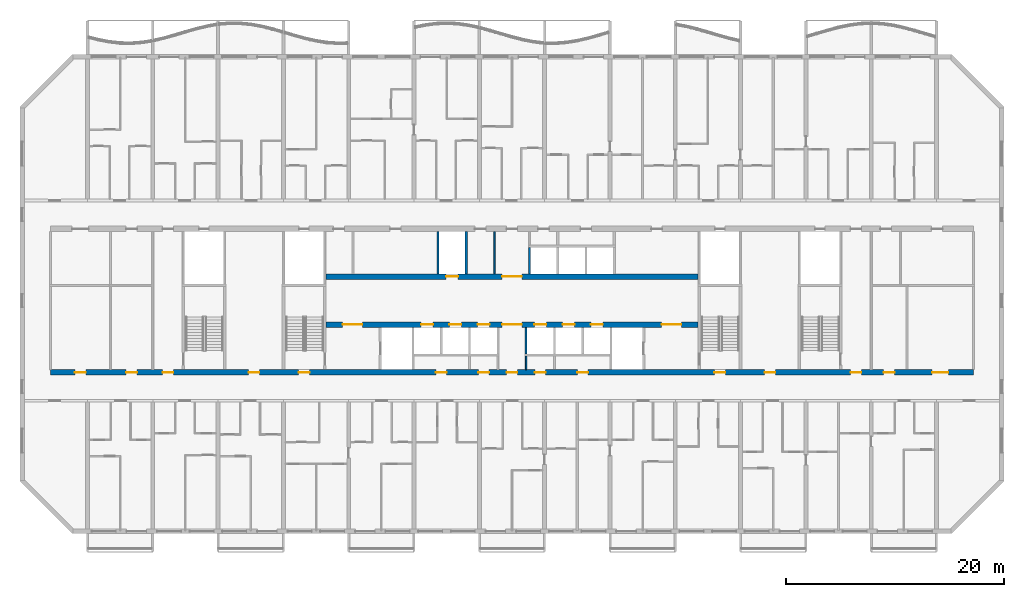
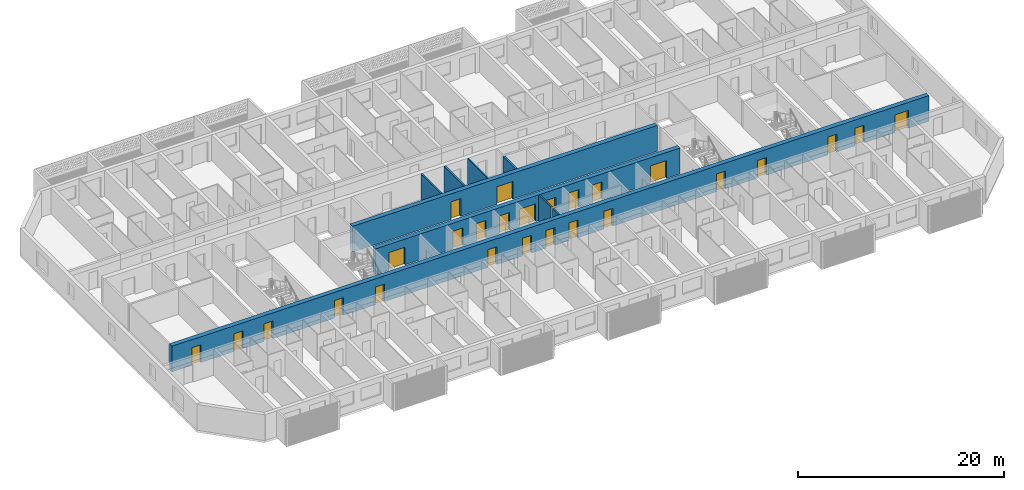
# One storey, part 7 of 26: 26 doors, 9 walls, 26 openings.
"""IFC4 building model written with IfcOpenShell, lengths in metres."""

import ifcopenshell
import ifcopenshell.guid

model = None  # the IFC model being written
_history = None  # IfcOwnerHistory: only IFC2X3 demands one
_inside = {}  # id of a spatial element -> (the spatial element, [elements in it])
_under = {}  # id of a project, library or spatial element -> (it, [spatial elements below it])
_declared = {}  # id of a project -> (the project, [libraries it declares])
_typed = {}  # id of a type object -> (the type object, [elements of that type])
_made_of = {}  # id of a material, layer set ... -> (it, [elements and type objects made of it])


def new_model(schema):
    """Start an empty IFC model of exactly this schema.

    Asked for "IFC4X3", IfcOpenShell would pick the latest addendum, in which some entities
    have other attributes; the version numbers below select the first issue.
    IFC2X3 requires an IfcOwnerHistory on every rooted entity: one is made here for all.
    """
    global model, _history
    if schema == "IFC4X3":
        model = ifcopenshell.file(schema_version=(4, 3, 0, 0))
    else:
        model = ifcopenshell.file(schema=schema)
    _inside.clear()
    _under.clear()
    _declared.clear()
    _typed.clear()
    _made_of.clear()
    _history = None
    if model.schema == "IFC2X3":
        org = make("IfcOrganization", Name="unknown")
        user = make(
            "IfcPersonAndOrganization",
            ThePerson=make("IfcPerson", FamilyName="unknown"),
            TheOrganization=org,
        )
        app = make(
            "IfcApplication",
            ApplicationDeveloper=org,
            Version="unknown",
            ApplicationFullName="unknown",
            ApplicationIdentifier="unknown",
        )
        _history = make(
            "IfcOwnerHistory",
            OwningUser=user,
            OwningApplication=app,
            ChangeAction="ADDED",
            CreationDate=0,
        )
    return model


def make(cls, **values):
    """One entity of the class cls with the attributes given. An attribute that is None is left unset."""
    return model.create_entity(
        cls, **{name: value for name, value in values.items() if value is not None}
    )


def rooted(cls, **values):
    """An entity with a GlobalId (a new one), such as an element, a storey or a relation."""
    return make(cls, GlobalId=ifcopenshell.guid.new(), OwnerHistory=_history, **values)


def si_unit(unit_type, name, prefix=None):
    """IfcSIUnit, for example si_unit("LENGTHUNIT", "METRE", prefix="MILLI")."""
    return make("IfcSIUnit", UnitType=unit_type, Prefix=prefix, Name=name)


def assignment(units):
    """IfcUnitAssignment: the units of a project."""
    return None if units is None else make("IfcUnitAssignment", Units=units)


def point(xyz):
    """IfcCartesianPoint."""
    return None if xyz is None else make("IfcCartesianPoint", Coordinates=xyz)


def direction(xyz):
    """IfcDirection."""
    return None if xyz is None else make("IfcDirection", DirectionRatios=xyz)


def frame(location, z_axis=None, x_axis=None):
    """IfcAxis2Placement3D, a coordinate frame: its origin and axes. An axis left out is left unset."""
    return make(
        "IfcAxis2Placement3D",
        Location=point(location),
        Axis=direction(z_axis),
        RefDirection=direction(x_axis),
    )


def frame_2d(location, x_axis=None):
    """IfcAxis2Placement2D, a coordinate frame in the plane: its origin and x axis."""
    return make(
        "IfcAxis2Placement2D", Location=point(location), RefDirection=direction(x_axis)
    )


def origin():
    """The frame at (0, 0, 0) with its axes left unset."""
    return frame((0.0, 0.0, 0.0))


def place(relative_to, where):
    """IfcLocalPlacement: puts the frame where relative to a parent placement (None: the world)."""
    return make(
        "IfcLocalPlacement", PlacementRelTo=relative_to, RelativePlacement=where
    )


def context(
    kind, dimensions, precision=None, world=None, true_north=None, identifier=None
):
    """IfcGeometricRepresentationContext, for example the 3D "Model" context."""
    return make(
        "IfcGeometricRepresentationContext",
        ContextIdentifier=identifier,
        ContextType=kind,
        CoordinateSpaceDimension=dimensions,
        Precision=precision,
        WorldCoordinateSystem=world,
        TrueNorth=true_north,
    )


def subcontext(parent, identifier, kind, view, scale=None):
    """IfcGeometricRepresentationSubContext, for example "Body" below "Model"."""
    return make(
        "IfcGeometricRepresentationSubContext",
        ContextIdentifier=identifier,
        ContextType=kind,
        ParentContext=parent,
        TargetScale=scale,
        TargetView=view,
    )


def project(units=None, contexts=None):
    """IfcProject with its units and contexts."""
    return rooted(
        "IfcProject",
        Name="project",
        RepresentationContexts=contexts,
        UnitsInContext=assignment(units),
    )


def spatial(cls, under=None, at=None, **own):
    """A site, building, storey or space (cls), placed at a placement, below another one or the project."""
    s = rooted(cls, ObjectPlacement=at, **own)
    if under is not None:
        _under.setdefault(under.id(), (under, []))[1].append(s)
    return s


def profile(cls, at=None, kind="AREA", **sizes):
    """A parametric profile (cls). Its sizes go by their IFC names, for example OverallWidth=200.0."""
    return make(cls, ProfileType=kind, Position=at, **sizes)


def rectangle(**sizes):
    """IfcRectangleProfileDef."""
    return profile("IfcRectangleProfileDef", **sizes)


def extrude(swept, where, along, depth):
    """IfcExtrudedAreaSolid: the profile swept, set in the frame where, extruded along a direction by depth."""
    return make(
        "IfcExtrudedAreaSolid",
        SweptArea=swept,
        Position=where,
        ExtrudedDirection=direction(along),
        Depth=depth,
    )


def shape(context_of_items, identifier, shape_type, items):
    """IfcShapeRepresentation: the items that make up one representation, for example the "Body"."""
    return make(
        "IfcShapeRepresentation",
        ContextOfItems=context_of_items,
        RepresentationIdentifier=identifier,
        RepresentationType=shape_type,
        Items=items,
    )


def material(Name=None, Category=None):
    """IfcMaterial."""
    return make("IfcMaterial", Name=Name, Category=Category)


def layer(
    of_material, thickness, ventilated=None, Name=None, Category=None, Priority=None
):
    """IfcMaterialLayer: one layer of a wall or slab, of a material (None: an air gap)."""
    return make(
        "IfcMaterialLayer",
        Material=of_material,
        LayerThickness=thickness,
        IsVentilated=ventilated,
        Name=Name,
        Category=Category,
        Priority=Priority,
    )


def layer_set(layers, Name=None):
    """IfcMaterialLayerSet."""
    return make("IfcMaterialLayerSet", MaterialLayers=layers, LayerSetName=Name)


def made_of(thing, what):
    """Note that an element or type object is made of a material, layer set ...; save() writes the relation."""
    if what is not None:
        _made_of.setdefault(what.id(), (what, []))[1].append(thing)
    return thing


def type_object(cls, material=None, **own):
    """A type object (cls), such as IfcWallType, which elements share."""
    return made_of(rooted(cls, **own), material)


def element(
    cls,
    number,
    at=None,
    inside=None,
    cuts=None,
    type_object=None,
    material=None,
    context=None,
    identifier="Body",
    shape_type=None,
    held_by="IfcProductDefinitionShape",
    body=None,
    shapes=None,
    **own,
):
    """One element of the class cls, such as IfcWall. Its Tag is "e" and its number.

    at: its placement. inside: the storey or other place that contains it. cuts: it is an
    opening in that element (IfcRelVoidsElement). A single representation is given by context,
    identifier, shape_type and body (its items); several are given by shapes. held_by: the class
    of the entity that holds the representations. save() writes the other relations.
    """
    e = rooted(cls, Tag="e%d" % number, ObjectPlacement=at, **own)
    if body is not None:
        shapes = [shape(context, identifier, shape_type, body)]
    if shapes is not None:
        e.Representation = make(held_by, Representations=shapes)
    if inside is not None:
        _inside.setdefault(inside.id(), (inside, []))[1].append(e)
    if cuts is not None:
        rooted(
            "IfcRelVoidsElement", RelatingBuildingElement=cuts, RelatedOpeningElement=e
        )
    if type_object is not None:
        _typed.setdefault(type_object.id(), (type_object, []))[1].append(e)
    return made_of(e, material)


def fill(opening, filler):
    """IfcRelFillsElement: the door or window that sits in an opening."""
    return rooted(
        "IfcRelFillsElement",
        RelatingOpeningElement=opening,
        RelatedBuildingElement=filler,
    )


def aggregate(whole, parts):
    """IfcRelAggregates: a whole, such as a stair, and the parts it consists of."""
    return rooted("IfcRelAggregates", RelatingObject=whole, RelatedObjects=parts)


def save(model, path):
    """Write the relations noted so far, then the file.

    IfcRelAggregates (storeys below a building ...), IfcRelContainedInSpatialStructure (elements
    in a storey), IfcRelDefinesByType, IfcRelAssociatesMaterial and IfcRelDeclares: one each for
    every whole, place, type object, material and project.
    """
    for whole, parts in _under.values():
        aggregate(whole, parts)
    for where, things in _inside.values():
        rooted(
            "IfcRelContainedInSpatialStructure",
            RelatedElements=things,
            RelatingStructure=where,
        )
    for kind, things in _typed.values():
        rooted("IfcRelDefinesByType", RelatedObjects=things, RelatingType=kind)
    for what, things in _made_of.values():
        rooted("IfcRelAssociatesMaterial", RelatedObjects=things, RelatingMaterial=what)
    for by, libraries in _declared.values():
        rooted("IfcRelDeclares", RelatingContext=by, RelatedDefinitions=libraries)
    model.write(path)


model = new_model("IFC4")

# Units and contexts
model_context = context("Model", 3, precision=1e-05, world=origin(), true_north=direction((0.0, 1.0)))
body_context = subcontext(model_context, "Body", "Model", "MODEL_VIEW")
ifc_project = project(units=[si_unit("LENGTHUNIT", "METRE"), si_unit("AREAUNIT", "SQUARE_METRE"), si_unit("VOLUMEUNIT", "CUBIC_METRE"), si_unit("PLANEANGLEUNIT", "RADIAN"), si_unit("MASSUNIT", "GRAM", prefix="KILO")], contexts=[model_context])

# Site, building, storey
site_placement = place(None, origin())
site = spatial("IfcSite", under=ifc_project, at=site_placement, CompositionType="ELEMENT")
building_placement = place(site_placement, origin())
building = spatial("IfcBuilding", under=site, at=building_placement, Name="Poui Terraces", CompositionType="ELEMENT")
storey_placement = place(building_placement, frame((0.0, 0.0, 79.5)))
storey = spatial("IfcBuildingStorey", under=building, at=storey_placement, Name="L21", CompositionType="ELEMENT", Elevation=79.5)

# Wall, openings, doors
ifc_material_1 = material(Name="Concrete 65 MPa", Category="concrete")
ifc_layer_1 = layer(ifc_material_1, 0.5)
ifc_layer_set_1 = layer_set([ifc_layer_1], Name="Concrete 65 MPa")
wall_type_1 = type_object("IfcWallType", Name="CORE WALL 500 65 MPA", PredefinedType="SOLIDWALL", material=ifc_layer_set_1)
wall_1_placement = place(storey_placement, frame((33.925048828125, 19.0, 0.0), z_axis=(0.0, 0.0, 1.0), x_axis=(1.0, 0.0, 0.0)))
wall_1 = element("IfcWall", 1, at=wall_1_placement, inside=storey, type_object=wall_type_1, Name="CORE WALL", PredefinedType="SOLIDWALL", context=body_context, shape_type="SweptSolid", body=[
    extrude(rectangle(XDim=34.14990234375, YDim=0.5, at=frame_2d((17.074951171875, 0.0))), origin(), (0.0, 0.0, 1.0), 3.06005859375),
])
opening_1_placement = place(wall_1_placement, frame((16.175048828125, 0.0, 0.0)))
opening_1 = element("IfcOpeningElement", 2, at=opening_1_placement, cuts=wall_1, Name="Opening FDD60", PredefinedType="OPENING", context=body_context, shape_type="SweptSolid", body=[
    extrude(rectangle(XDim=1.800048828125, YDim=2.10009765625, at=frame_2d((0.89990234375, 1.050048828125))), frame((0.0, 0.260009765625, 0.0), z_axis=(0.0, -1.0, 0.0), x_axis=(1.0, 0.0, 0.0)), (0.0, 0.0, 1.0), 0.52001953125),
])
opening_2_placement = place(wall_1_placement, frame((1.52490234375, 0.0, 0.0)))
opening_2 = element("IfcOpeningElement", 3, at=opening_2_placement, cuts=wall_1, Name="Opening FDD60", PredefinedType="OPENING", context=body_context, shape_type="SweptSolid", body=[
    extrude(rectangle(XDim=1.800048828125, YDim=2.10009765625, at=frame_2d((0.89990234375, 1.050048828125))), frame((0.0, 0.260009765625, 0.0), z_axis=(0.0, -1.0, 0.0), x_axis=(1.0, 0.0, 0.0)), (0.0, 0.0, 1.0), 0.52001953125),
])
opening_3_placement = place(wall_1_placement, frame((8.72509765625, 0.0, 0.0)))
opening_3 = element("IfcOpeningElement", 4, at=opening_3_placement, cuts=wall_1, Name="Opening LD", PredefinedType="OPENING", context=body_context, shape_type="SweptSolid", body=[
    extrude(rectangle(XDim=1.10009765625, YDim=2.10009765625, at=frame_2d((0.550048828125, 1.050048828125))), frame((0.0, 0.260009765625, 0.0), z_axis=(0.0, -1.0, 0.0), x_axis=(1.0, 0.0, 0.0)), (0.0, 0.0, 1.0), 0.52001953125),
])
opening_4_placement = place(wall_1_placement, frame((11.324951171875, 0.0, 0.0)))
opening_4 = element("IfcOpeningElement", 5, at=opening_4_placement, cuts=wall_1, Name="Opening LD", PredefinedType="OPENING", context=body_context, shape_type="SweptSolid", body=[
    extrude(rectangle(XDim=1.10009765625, YDim=2.10009765625, at=frame_2d((0.550048828125, 1.050048828125))), frame((0.0, 0.260009765625, 0.0), z_axis=(0.0, -1.0, 0.0), x_axis=(1.0, 0.0, 0.0)), (0.0, 0.0, 1.0), 0.52001953125),
])
opening_5_placement = place(wall_1_placement, frame((13.925048828125, 0.0, 0.0)))
opening_5 = element("IfcOpeningElement", 6, at=opening_5_placement, cuts=wall_1, Name="Opening LD", PredefinedType="OPENING", context=body_context, shape_type="SweptSolid", body=[
    extrude(rectangle(XDim=1.10009765625, YDim=2.10009765625, at=frame_2d((0.550048828125, 1.050048828125))), frame((0.0, 0.260009765625, 0.0), z_axis=(0.0, -1.0, 0.0), x_axis=(1.0, 0.0, 0.0)), (0.0, 0.0, 1.0), 0.52001953125),
])
opening_6_placement = place(wall_1_placement, frame((19.125, 0.0, 0.0)))
opening_6 = element("IfcOpeningElement", 7, at=opening_6_placement, cuts=wall_1, Name="Opening LD", PredefinedType="OPENING", context=body_context, shape_type="SweptSolid", body=[
    extrude(rectangle(XDim=1.10009765625, YDim=2.10009765625, at=frame_2d((0.550048828125, 1.050048828125))), frame((0.0, 0.260009765625, 0.0), z_axis=(0.0, -1.0, 0.0), x_axis=(1.0, 0.0, 0.0)), (0.0, 0.0, 1.0), 0.52001953125),
])
opening_7_placement = place(wall_1_placement, frame((21.72509765625, 0.0, 0.0)))
opening_7 = element("IfcOpeningElement", 8, at=opening_7_placement, cuts=wall_1, Name="Opening LD", PredefinedType="OPENING", context=body_context, shape_type="SweptSolid", body=[
    extrude(rectangle(XDim=1.10009765625, YDim=2.10009765625, at=frame_2d((0.550048828125, 1.050048828125))), frame((0.0, 0.260009765625, 0.0), z_axis=(0.0, -1.0, 0.0), x_axis=(1.0, 0.0, 0.0)), (0.0, 0.0, 1.0), 0.52001953125),
])
opening_8_placement = place(wall_1_placement, frame((24.324951171875, 0.0, 0.0)))
opening_8 = element("IfcOpeningElement", 9, at=opening_8_placement, cuts=wall_1, Name="Opening LD", PredefinedType="OPENING", context=body_context, shape_type="SweptSolid", body=[
    extrude(rectangle(XDim=1.10009765625, YDim=2.10009765625, at=frame_2d((0.550048828125, 1.050048828125))), frame((0.0, 0.260009765625, 0.0), z_axis=(0.0, -1.0, 0.0), x_axis=(1.0, 0.0, 0.0)), (0.0, 0.0, 1.0), 0.52001953125),
])
opening_9_placement = place(wall_1_placement, frame((30.824951171875, 0.0, 0.0)))
opening_9 = element("IfcOpeningElement", 10, at=opening_9_placement, cuts=wall_1, Name="Opening FDD60", PredefinedType="OPENING", context=body_context, shape_type="SweptSolid", body=[
    extrude(rectangle(XDim=1.800048828125, YDim=2.10009765625, at=frame_2d((0.89990234375, 1.050048828125))), frame((0.0, 0.260009765625, 0.0), z_axis=(0.0, -1.0, 0.0), x_axis=(1.0, 0.0, 0.0)), (0.0, 0.0, 1.0), 0.52001953125),
])
ifc_material_2 = material(Name="Steel fire door", Category="steel")
door_type_1 = type_object("IfcDoorType", Name="DOUBLE LOBBY FIRE DOOR 1800 X 2100", OperationType="DOUBLE_DOOR_SINGLE_SWING", PredefinedType="DOOR", material=ifc_material_2)
door_1_placement = place(opening_1_placement, frame((1.800048828125, 0.0, 0.0), z_axis=(0.0, 0.0, 1.0), x_axis=(-1.0, 0.0, 0.0)))
door_1 = element("IfcDoor", 11, at=door_1_placement, inside=storey, type_object=door_type_1, Name="DOUBLE LOBBY FIRE DOOR 140", OperationType="DOUBLE_DOOR_SINGLE_SWING", OverallHeight=2.10009765625, OverallWidth=1.800048828125, PredefinedType="DOOR", context=body_context, shape_type="SweptSolid", body=[
    extrude(rectangle(XDim=1.800048828125, YDim=2.10009765625, at=frame_2d((0.89990234375, 1.050048828125))), frame((0.0, 0.02490234375, 0.0), z_axis=(0.0, -1.0, 0.0), x_axis=(1.0, 0.0, 0.0)), (0.0, 0.0, 1.0), 0.050048828125),
])
fill(opening_1, door_1)
door_2_placement = place(opening_2_placement, origin())
door_2 = element("IfcDoor", 12, at=door_2_placement, inside=storey, type_object=door_type_1, Name="DOUBLE LOBBY FIRE DOOR 141", OperationType="DOUBLE_DOOR_SINGLE_SWING", OverallHeight=2.10009765625, OverallWidth=1.800048828125, PredefinedType="DOOR", context=body_context, shape_type="SweptSolid", body=[
    extrude(rectangle(XDim=1.800048828125, YDim=2.10009765625, at=frame_2d((0.89990234375, 1.050048828125))), frame((0.0, 0.02490234375, 0.0), z_axis=(0.0, -1.0, 0.0), x_axis=(1.0, 0.0, 0.0)), (0.0, 0.0, 1.0), 0.050048828125),
])
fill(opening_2, door_2)
door_3_placement = place(opening_9_placement, origin())
door_3 = element("IfcDoor", 13, at=door_3_placement, inside=storey, type_object=door_type_1, Name="DOUBLE LOBBY FIRE DOOR 149", OperationType="DOUBLE_DOOR_SINGLE_SWING", OverallHeight=2.10009765625, OverallWidth=1.800048828125, PredefinedType="DOOR", context=body_context, shape_type="SweptSolid", body=[
    extrude(rectangle(XDim=1.800048828125, YDim=2.10009765625, at=frame_2d((0.89990234375, 1.050048828125))), frame((0.0, 0.02490234375, 0.0), z_axis=(0.0, -1.0, 0.0), x_axis=(1.0, 0.0, 0.0)), (0.0, 0.0, 1.0), 0.050048828125),
])
fill(opening_9, door_3)
ifc_material_3 = material(Name="Stainless steel sliding door", Category="steel")
door_type_2 = type_object("IfcDoorType", Name="LIFT LANDING DOOR 1100 X 2100", OperationType="DOUBLE_DOOR_SLIDING", PredefinedType="DOOR", material=ifc_material_3)
door_4_placement = place(opening_3_placement, origin())
door_4 = element("IfcDoor", 14, at=door_4_placement, inside=storey, type_object=door_type_2, Name="LANDING DOOR", OperationType="DOUBLE_DOOR_SLIDING", OverallHeight=2.10009765625, OverallWidth=1.10009765625, PredefinedType="DOOR", context=body_context, shape_type="SweptSolid", body=[
    extrude(rectangle(XDim=1.10009765625, YDim=2.10009765625, at=frame_2d((0.550048828125, 1.050048828125))), frame((0.0, 0.02490234375, 0.0), z_axis=(0.0, -1.0, 0.0), x_axis=(1.0, 0.0, 0.0)), (0.0, 0.0, 1.0), 0.050048828125),
])
fill(opening_3, door_4)
door_5_placement = place(opening_4_placement, origin())
door_5 = element("IfcDoor", 15, at=door_5_placement, inside=storey, type_object=door_type_2, Name="LANDING DOOR", OperationType="DOUBLE_DOOR_SLIDING", OverallHeight=2.10009765625, OverallWidth=1.10009765625, PredefinedType="DOOR", context=body_context, shape_type="SweptSolid", body=[
    extrude(rectangle(XDim=1.10009765625, YDim=2.10009765625, at=frame_2d((0.550048828125, 1.050048828125))), frame((0.0, 0.02490234375, 0.0), z_axis=(0.0, -1.0, 0.0), x_axis=(1.0, 0.0, 0.0)), (0.0, 0.0, 1.0), 0.050048828125),
])
fill(opening_4, door_5)
door_6_placement = place(opening_5_placement, origin())
door_6 = element("IfcDoor", 16, at=door_6_placement, inside=storey, type_object=door_type_2, Name="LANDING DOOR", OperationType="DOUBLE_DOOR_SLIDING", OverallHeight=2.10009765625, OverallWidth=1.10009765625, PredefinedType="DOOR", context=body_context, shape_type="SweptSolid", body=[
    extrude(rectangle(XDim=1.10009765625, YDim=2.10009765625, at=frame_2d((0.550048828125, 1.050048828125))), frame((0.0, 0.02490234375, 0.0), z_axis=(0.0, -1.0, 0.0), x_axis=(1.0, 0.0, 0.0)), (0.0, 0.0, 1.0), 0.050048828125),
])
fill(opening_5, door_6)
door_7_placement = place(opening_6_placement, origin())
door_7 = element("IfcDoor", 17, at=door_7_placement, inside=storey, type_object=door_type_2, Name="LANDING DOOR", OperationType="DOUBLE_DOOR_SLIDING", OverallHeight=2.10009765625, OverallWidth=1.10009765625, PredefinedType="DOOR", context=body_context, shape_type="SweptSolid", body=[
    extrude(rectangle(XDim=1.10009765625, YDim=2.10009765625, at=frame_2d((0.550048828125, 1.050048828125))), frame((0.0, 0.02490234375, 0.0), z_axis=(0.0, -1.0, 0.0), x_axis=(1.0, 0.0, 0.0)), (0.0, 0.0, 1.0), 0.050048828125),
])
fill(opening_6, door_7)
door_8_placement = place(opening_7_placement, origin())
door_8 = element("IfcDoor", 18, at=door_8_placement, inside=storey, type_object=door_type_2, Name="LANDING DOOR", OperationType="DOUBLE_DOOR_SLIDING", OverallHeight=2.10009765625, OverallWidth=1.10009765625, PredefinedType="DOOR", context=body_context, shape_type="SweptSolid", body=[
    extrude(rectangle(XDim=1.10009765625, YDim=2.10009765625, at=frame_2d((0.550048828125, 1.050048828125))), frame((0.0, 0.02490234375, 0.0), z_axis=(0.0, -1.0, 0.0), x_axis=(1.0, 0.0, 0.0)), (0.0, 0.0, 1.0), 0.050048828125),
])
fill(opening_7, door_8)
door_9_placement = place(opening_8_placement, origin())
door_9 = element("IfcDoor", 19, at=door_9_placement, inside=storey, type_object=door_type_2, Name="LANDING DOOR", OperationType="DOUBLE_DOOR_SLIDING", OverallHeight=2.10009765625, OverallWidth=1.10009765625, PredefinedType="DOOR", context=body_context, shape_type="SweptSolid", body=[
    extrude(rectangle(XDim=1.10009765625, YDim=2.10009765625, at=frame_2d((0.550048828125, 1.050048828125))), frame((0.0, 0.02490234375, 0.0), z_axis=(0.0, -1.0, 0.0), x_axis=(1.0, 0.0, 0.0)), (0.0, 0.0, 1.0), 0.050048828125),
])
fill(opening_8, door_9)

wall_2_placement = place(storey_placement, frame((33.925048828125, 23.39990234375, 0.0), z_axis=(0.0, 0.0, 1.0), x_axis=(1.0, 0.0, 0.0)))
wall_2 = element("IfcWall", 20, at=wall_2_placement, inside=storey, type_object=wall_type_1, Name="CORE WALL", PredefinedType="SOLIDWALL", context=body_context, shape_type="SweptSolid", body=[
    extrude(rectangle(XDim=34.14990234375, YDim=0.5, at=frame_2d((17.074951171875, 0.0))), origin(), (0.0, 0.0, 1.0), 3.06005859375),
])
opening_10_placement = place(wall_2_placement, frame((16.175048828125, 0.0, 0.0)))
opening_10 = element("IfcOpeningElement", 21, at=opening_10_placement, cuts=wall_2, Name="Opening FDD60", PredefinedType="OPENING", context=body_context, shape_type="SweptSolid", body=[
    extrude(rectangle(XDim=1.800048828125, YDim=2.10009765625, at=frame_2d((0.89990234375, 1.050048828125))), frame((0.0, 0.260009765625, 0.0), z_axis=(0.0, -1.0, 0.0), x_axis=(1.0, 0.0, 0.0)), (0.0, 0.0, 1.0), 0.52001953125),
])
opening_11_placement = place(wall_2_placement, frame((11.02490234375, 0.0, 0.0)))
opening_11 = element("IfcOpeningElement", 22, at=opening_11_placement, cuts=wall_2, Name="Opening LD", PredefinedType="OPENING", context=body_context, shape_type="SweptSolid", body=[
    extrude(rectangle(XDim=1.10009765625, YDim=2.10009765625, at=frame_2d((0.550048828125, 1.050048828125))), frame((0.0, 0.260009765625, 0.0), z_axis=(0.0, -1.0, 0.0), x_axis=(1.0, 0.0, 0.0)), (0.0, 0.0, 1.0), 0.52001953125),
])
door_10_placement = place(opening_10_placement, origin())
door_10 = element("IfcDoor", 23, at=door_10_placement, inside=storey, type_object=door_type_1, Name="DOUBLE LOBBY FIRE DOOR 139", OperationType="DOUBLE_DOOR_SINGLE_SWING", OverallHeight=2.10009765625, OverallWidth=1.800048828125, PredefinedType="DOOR", context=body_context, shape_type="SweptSolid", body=[
    extrude(rectangle(XDim=1.800048828125, YDim=2.10009765625, at=frame_2d((0.89990234375, 1.050048828125))), frame((0.0, 0.02490234375, 0.0), z_axis=(0.0, -1.0, 0.0), x_axis=(1.0, 0.0, 0.0)), (0.0, 0.0, 1.0), 0.050048828125),
])
fill(opening_10, door_10)
door_11_placement = place(opening_11_placement, origin())
door_11 = element("IfcDoor", 24, at=door_11_placement, inside=storey, type_object=door_type_2, Name="LANDING DOOR", OperationType="DOUBLE_DOOR_SLIDING", OverallHeight=2.10009765625, OverallWidth=1.10009765625, PredefinedType="DOOR", context=body_context, shape_type="SweptSolid", body=[
    extrude(rectangle(XDim=1.10009765625, YDim=2.10009765625, at=frame_2d((0.550048828125, 1.050048828125))), frame((0.0, 0.02490234375, 0.0), z_axis=(0.0, -1.0, 0.0), x_axis=(1.0, 0.0, 0.0)), (0.0, 0.0, 1.0), 0.050048828125),
])
fill(opening_11, door_11)

# Walls
ifc_material_4 = material(Name="Fire-rated plasterboard wall")
ifc_layer_2 = layer(ifc_material_4, 0.14990234375)
ifc_layer_set_2 = layer_set([ifc_layer_2], Name="Fire-rated plasterboard wall")
wall_type_2 = type_object("IfcWallType", Name="CORRIDOR WALL 150", PredefinedType="PARTITIONING", material=ifc_layer_set_2)
wall_3_placement = place(storey_placement, frame((49.39990234375, 23.659912109375, 0.0), z_axis=(0.0, 0.0, 1.0), x_axis=(0.0, 1.0, 0.0)))
element("IfcWall", 25, at=wall_3_placement, inside=storey, type_object=wall_type_2, Name="CORRIDOR WALL 150", PredefinedType="PARTITIONING", context=body_context, shape_type="SweptSolid", body=[
    extrude(rectangle(XDim=3.880126953125, YDim=0.14990234375, at=frame_2d((1.93994140625, 0.0))), origin(), (0.0, 0.0, 1.0), 3.06005859375),
])
wall_4_placement = place(storey_placement, frame((52.300048828125, 14.860107421875, 0.0), z_axis=(0.0, 0.0, 1.0), x_axis=(0.0, 1.0, 0.0)))
element("IfcWall", 26, at=wall_4_placement, inside=storey, type_object=wall_type_2, Name="CORRIDOR WALL 150", PredefinedType="PARTITIONING", context=body_context, shape_type="SweptSolid", body=[
    extrude(rectangle(XDim=1.239990234375, YDim=0.14990234375, at=frame_2d((0.6201171875, 0.0))), origin(), (0.0, 0.0, 1.0), 3.06005859375),
])
ifc_material_5 = material(Name="Fire-rated masonry shaft wall", Category="masonry")
ifc_layer_3 = layer(ifc_material_5, 0.199951171875)
ifc_layer_set_3 = layer_set([ifc_layer_3], Name="Fire-rated masonry shaft wall")
wall_type_3 = type_object("IfcWallType", Name="SHAFT WALL 200", PredefinedType="PARTITIONING", material=ifc_layer_set_3)
for number, where, z_axis, x_axis, name in (
    (27, (44.199951171875, 23.659912109375, 0.0), (0.0, 0.0, 1.0), (0.0, 1.0, 0.0), "SHAFT WALL 200"),
    (28, (46.800048828125, 23.659912109375, 0.0), (0.0, 0.0, 1.0), (0.0, 1.0, 0.0), "SHAFT WALL 200"),
):
    element("IfcWall", number, at=place(storey_placement, frame(where, z_axis=z_axis, x_axis=x_axis)), inside=storey, type_object=wall_type_3, Name=name, PredefinedType="PARTITIONING", context=body_context, shape_type="SweptSolid", body=[
        extrude(rectangle(XDim=3.880126953125, YDim=0.199951171875, at=frame_2d((1.93994140625, 0.0))), origin(), (0.0, 0.0, 1.0), 3.06005859375),
    ])
wall_5_placement = place(storey_placement, frame((52.300048828125, 16.300048828125, 0.0), z_axis=(0.0, 0.0, 1.0), x_axis=(0.0, 1.0, 0.0)))
element("IfcWall", 29, at=wall_5_placement, inside=storey, type_object=wall_type_3, Name="SHAFT WALL 200", PredefinedType="PARTITIONING", context=body_context, shape_type="SweptSolid", body=[
    extrude(rectangle(XDim=2.43994140625, YDim=0.199951171875, at=frame_2d((1.219970703125, 0.0))), origin(), (0.0, 0.0, 1.0), 3.06005859375),
])
wall_6_placement = place(storey_placement, frame((52.60009765625, 23.659912109375, 0.0), z_axis=(0.0, 0.0, 1.0), x_axis=(0.0, 1.0, 0.0)))
element("IfcWall", 30, at=wall_6_placement, inside=storey, type_object=wall_type_3, Name="SHAFT WALL 200", PredefinedType="PARTITIONING", context=body_context, shape_type="SweptSolid", body=[
    extrude(rectangle(XDim=2.440185546875, YDim=0.199951171875, at=frame_2d((1.22021484375, 0.0))), origin(), (0.0, 0.0, 1.0), 3.06005859375),
])

# Wall, openings, doors
ifc_layer_4 = layer(ifc_material_1, 0.5)
ifc_layer_set_4 = layer_set([ifc_layer_4], Name="Concrete 65 MPa")
wall_type_4 = type_object("IfcWallType", Name="SPINE WALL 500 65 MPA", PredefinedType="SOLIDWALL", material=ifc_layer_set_4)
wall_7_placement = place(storey_placement, frame((8.60009765625, 14.60009765625, 0.0), z_axis=(0.0, 0.0, 1.0), x_axis=(1.0, 0.0, 0.0)))
wall_7 = element("IfcWall", 31, at=wall_7_placement, inside=storey, type_object=wall_type_4, Name="SPINE WALL", PredefinedType="SOLIDWALL", context=body_context, shape_type="SweptSolid", body=[
    extrude(rectangle(XDim=84.7998046875, YDim=0.5, at=frame_2d((42.39990234375, 0.0))), origin(), (0.0, 0.0, 1.0), 3.06005859375),
])
opening_12_placement = place(wall_7_placement, frame((2.25, 0.0, 0.0)))
opening_12 = element("IfcOpeningElement", 32, at=opening_12_placement, cuts=wall_7, Name="Opening FD60", PredefinedType="OPENING", context=body_context, shape_type="SweptSolid", body=[
    extrude(rectangle(XDim=1.0, YDim=2.10009765625, at=frame_2d((0.5, 1.050048828125))), frame((0.0, 0.260009765625, 0.0), z_axis=(0.0, -1.0, 0.0), x_axis=(1.0, 0.0, 0.0)), (0.0, 0.0, 1.0), 0.52001953125),
])
opening_13_placement = place(wall_7_placement, frame((6.949951171875, 0.0, 0.0)))
opening_13 = element("IfcOpeningElement", 33, at=opening_13_placement, cuts=wall_7, Name="Opening D100", PredefinedType="OPENING", context=body_context, shape_type="SweptSolid", body=[
    extrude(rectangle(XDim=1.0, YDim=2.10009765625, at=frame_2d((0.5, 1.050048828125))), frame((0.0, 0.260009765625, 0.0), z_axis=(0.0, -1.0, 0.0), x_axis=(1.0, 0.0, 0.0)), (0.0, 0.0, 1.0), 0.52001953125),
])
opening_14_placement = place(wall_7_placement, frame((10.300048828125, 0.0, 0.0)))
opening_14 = element("IfcOpeningElement", 34, at=opening_14_placement, cuts=wall_7, Name="Opening FDL", PredefinedType="OPENING", context=body_context, shape_type="SweptSolid", body=[
    extrude(rectangle(XDim=1.0, YDim=2.10009765625, at=frame_2d((0.5, 1.050048828125))), frame((0.0, 0.260009765625, 0.0), z_axis=(0.0, -1.0, 0.0), x_axis=(1.0, 0.0, 0.0)), (0.0, 0.0, 1.0), 0.52001953125),
])
opening_15_placement = place(wall_7_placement, frame((18.199951171875, 0.0, 0.0)))
opening_15 = element("IfcOpeningElement", 35, at=opening_15_placement, cuts=wall_7, Name="Opening D100", PredefinedType="OPENING", context=body_context, shape_type="SweptSolid", body=[
    extrude(rectangle(XDim=1.0, YDim=2.10009765625, at=frame_2d((0.5, 1.050048828125))), frame((0.0, 0.260009765625, 0.0), z_axis=(0.0, -1.0, 0.0), x_axis=(1.0, 0.0, 0.0)), (0.0, 0.0, 1.0), 0.52001953125),
])
opening_16_placement = place(wall_7_placement, frame((22.800048828125, 0.0, 0.0)))
opening_16 = element("IfcOpeningElement", 36, at=opening_16_placement, cuts=wall_7, Name="Opening FD60S", PredefinedType="OPENING", context=body_context, shape_type="SweptSolid", body=[
    extrude(rectangle(XDim=1.0, YDim=2.10009765625, at=frame_2d((0.5, 1.050048828125))), frame((0.0, 0.260009765625, 0.0), z_axis=(0.0, -1.0, 0.0), x_axis=(1.0, 0.0, 0.0)), (0.0, 0.0, 1.0), 0.52001953125),
])
opening_17_placement = place(wall_7_placement, frame((35.39990234375, 0.0, 0.0)))
opening_17 = element("IfcOpeningElement", 37, at=opening_17_placement, cuts=wall_7, Name="Opening FD60", PredefinedType="OPENING", context=body_context, shape_type="SweptSolid", body=[
    extrude(rectangle(XDim=1.0, YDim=2.10009765625, at=frame_2d((0.5, 1.050048828125))), frame((0.0, 0.260009765625, 0.0), z_axis=(0.0, -1.0, 0.0), x_axis=(1.0, 0.0, 0.0)), (0.0, 0.0, 1.0), 0.52001953125),
])
opening_18_placement = place(wall_7_placement, frame((39.300048828125, 0.0, 0.0)))
opening_18 = element("IfcOpeningElement", 38, at=opening_18_placement, cuts=wall_7, Name="Opening FD60", PredefinedType="OPENING", context=body_context, shape_type="SweptSolid", body=[
    extrude(rectangle(XDim=1.0, YDim=2.10009765625, at=frame_2d((0.5, 1.050048828125))), frame((0.0, 0.260009765625, 0.0), z_axis=(0.0, -1.0, 0.0), x_axis=(1.0, 0.0, 0.0)), (0.0, 0.0, 1.0), 0.52001953125),
])
opening_19_placement = place(wall_7_placement, frame((41.89990234375, 0.0, 0.0)))
opening_19 = element("IfcOpeningElement", 39, at=opening_19_placement, cuts=wall_7, Name="Opening FDL", PredefinedType="OPENING", context=body_context, shape_type="SweptSolid", body=[
    extrude(rectangle(XDim=1.0, YDim=2.10009765625, at=frame_2d((0.5, 1.050048828125))), frame((0.0, 0.260009765625, 0.0), z_axis=(0.0, -1.0, 0.0), x_axis=(1.0, 0.0, 0.0)), (0.0, 0.0, 1.0), 0.52001953125),
])
opening_20_placement = place(wall_7_placement, frame((44.5, 0.0, 0.0)))
opening_20 = element("IfcOpeningElement", 40, at=opening_20_placement, cuts=wall_7, Name="Opening FD60", PredefinedType="OPENING", context=body_context, shape_type="SweptSolid", body=[
    extrude(rectangle(XDim=1.0, YDim=2.10009765625, at=frame_2d((0.5, 1.050048828125))), frame((0.0, 0.260009765625, 0.0), z_axis=(0.0, -1.0, 0.0), x_axis=(1.0, 0.0, 0.0)), (0.0, 0.0, 1.0), 0.52001953125),
])
opening_21_placement = place(wall_7_placement, frame((48.39990234375, 0.0, 0.0)))
opening_21 = element("IfcOpeningElement", 41, at=opening_21_placement, cuts=wall_7, Name="Opening FD60", PredefinedType="OPENING", context=body_context, shape_type="SweptSolid", body=[
    extrude(rectangle(XDim=1.0, YDim=2.10009765625, at=frame_2d((0.5, 1.050048828125))), frame((0.0, 0.260009765625, 0.0), z_axis=(0.0, -1.0, 0.0), x_axis=(1.0, 0.0, 0.0)), (0.0, 0.0, 1.0), 0.52001953125),
])
opening_22_placement = place(wall_7_placement, frame((61.0, 0.0, 0.0)))
opening_22 = element("IfcOpeningElement", 42, at=opening_22_placement, cuts=wall_7, Name="Opening FD60S", PredefinedType="OPENING", context=body_context, shape_type="SweptSolid", body=[
    extrude(rectangle(XDim=1.0, YDim=2.10009765625, at=frame_2d((0.5, 1.050048828125))), frame((0.0, 0.260009765625, 0.0), z_axis=(0.0, -1.0, 0.0), x_axis=(1.0, 0.0, 0.0)), (0.0, 0.0, 1.0), 0.52001953125),
])
opening_23_placement = place(wall_7_placement, frame((65.60009765625, 0.0, 0.0)))
opening_23 = element("IfcOpeningElement", 43, at=opening_23_placement, cuts=wall_7, Name="Opening D100", PredefinedType="OPENING", context=body_context, shape_type="SweptSolid", body=[
    extrude(rectangle(XDim=1.0, YDim=2.10009765625, at=frame_2d((0.5, 1.050048828125))), frame((0.0, 0.260009765625, 0.0), z_axis=(0.0, -1.0, 0.0), x_axis=(1.0, 0.0, 0.0)), (0.0, 0.0, 1.0), 0.52001953125),
])
opening_24_placement = place(wall_7_placement, frame((73.5, 0.0, 0.0)))
opening_24 = element("IfcOpeningElement", 44, at=opening_24_placement, cuts=wall_7, Name="Opening FDL", PredefinedType="OPENING", context=body_context, shape_type="SweptSolid", body=[
    extrude(rectangle(XDim=1.0, YDim=2.10009765625, at=frame_2d((0.5, 1.050048828125))), frame((0.0, 0.260009765625, 0.0), z_axis=(0.0, -1.0, 0.0), x_axis=(1.0, 0.0, 0.0)), (0.0, 0.0, 1.0), 0.52001953125),
])
opening_25_placement = place(wall_7_placement, frame((76.550048828125, 0.0, 0.0)))
opening_25 = element("IfcOpeningElement", 45, at=opening_25_placement, cuts=wall_7, Name="Opening D100", PredefinedType="OPENING", context=body_context, shape_type="SweptSolid", body=[
    extrude(rectangle(XDim=1.0, YDim=2.10009765625, at=frame_2d((0.5, 1.050048828125))), frame((0.0, 0.260009765625, 0.0), z_axis=(0.0, -1.0, 0.0), x_axis=(1.0, 0.0, 0.0)), (0.0, 0.0, 1.0), 0.52001953125),
])
opening_26_placement = place(wall_7_placement, frame((81.0, 0.0, 0.0)))
opening_26 = element("IfcOpeningElement", 46, at=opening_26_placement, cuts=wall_7, Name="Opening FDP", PredefinedType="OPENING", context=body_context, shape_type="SweptSolid", body=[
    extrude(rectangle(XDim=1.5, YDim=2.10009765625, at=frame_2d((0.75, 1.050048828125))), frame((0.0, 0.260009765625, 0.0), z_axis=(0.0, -1.0, 0.0), x_axis=(1.0, 0.0, 0.0)), (0.0, 0.0, 1.0), 0.52001953125),
])
ifc_material_6 = material(Name="Solid core timber door", Category="wood")
door_type_3 = type_object("IfcDoorType", Name="ACCESSIBLE INTERNAL DOOR 1000 X 2100", OperationType="NOTDEFINED", PredefinedType="DOOR", material=ifc_material_6)
door_12_placement = place(opening_13_placement, frame((1.0, 0.0, 0.0), z_axis=(0.0, 0.0, 1.0), x_axis=(-1.0, 0.0, 0.0)))
door_12 = element("IfcDoor", 47, at=door_12_placement, inside=storey, type_object=door_type_3, Name="ACCESSIBLE INTERNAL DOOR 019", OperationType="SINGLE_SWING_RIGHT", OverallHeight=2.10009765625, OverallWidth=1.0, PredefinedType="DOOR", context=body_context, shape_type="SweptSolid", body=[
    extrude(rectangle(XDim=1.0, YDim=2.10009765625, at=frame_2d((0.5, 1.050048828125))), frame((0.0, 0.02490234375, 0.0), z_axis=(0.0, -1.0, 0.0), x_axis=(1.0, 0.0, 0.0)), (0.0, 0.0, 1.0), 0.050048828125),
])
fill(opening_13, door_12)
door_13_placement = place(opening_15_placement, frame((1.0, 0.0, 0.0), z_axis=(0.0, 0.0, 1.0), x_axis=(-1.0, 0.0, 0.0)))
door_13 = element("IfcDoor", 48, at=door_13_placement, inside=storey, type_object=door_type_3, Name="ACCESSIBLE INTERNAL DOOR 021", OperationType="SINGLE_SWING_LEFT", OverallHeight=2.10009765625, OverallWidth=1.0, PredefinedType="DOOR", context=body_context, shape_type="SweptSolid", body=[
    extrude(rectangle(XDim=1.0, YDim=2.10009765625, at=frame_2d((0.5, 1.050048828125))), frame((0.0, 0.02490234375, 0.0), z_axis=(0.0, -1.0, 0.0), x_axis=(1.0, 0.0, 0.0)), (0.0, 0.0, 1.0), 0.050048828125),
])
fill(opening_15, door_13)
door_14_placement = place(opening_23_placement, frame((1.0, 0.0, 0.0), z_axis=(0.0, 0.0, 1.0), x_axis=(-1.0, 0.0, 0.0)))
door_14 = element("IfcDoor", 49, at=door_14_placement, inside=storey, type_object=door_type_3, Name="ACCESSIBLE INTERNAL DOOR 029", OperationType="SINGLE_SWING_RIGHT", OverallHeight=2.10009765625, OverallWidth=1.0, PredefinedType="DOOR", context=body_context, shape_type="SweptSolid", body=[
    extrude(rectangle(XDim=1.0, YDim=2.10009765625, at=frame_2d((0.5, 1.050048828125))), frame((0.0, 0.02490234375, 0.0), z_axis=(0.0, -1.0, 0.0), x_axis=(1.0, 0.0, 0.0)), (0.0, 0.0, 1.0), 0.050048828125),
])
fill(opening_23, door_14)
door_15_placement = place(opening_25_placement, frame((1.0, 0.0, 0.0), z_axis=(0.0, 0.0, 1.0), x_axis=(-1.0, 0.0, 0.0)))
door_15 = element("IfcDoor", 50, at=door_15_placement, inside=storey, type_object=door_type_3, Name="ACCESSIBLE INTERNAL DOOR 031", OperationType="SINGLE_SWING_LEFT", OverallHeight=2.10009765625, OverallWidth=1.0, PredefinedType="DOOR", context=body_context, shape_type="SweptSolid", body=[
    extrude(rectangle(XDim=1.0, YDim=2.10009765625, at=frame_2d((0.5, 1.050048828125))), frame((0.0, 0.02490234375, 0.0), z_axis=(0.0, -1.0, 0.0), x_axis=(1.0, 0.0, 0.0)), (0.0, 0.0, 1.0), 0.050048828125),
])
fill(opening_25, door_15)
door_type_4 = type_object("IfcDoorType", Name="LOBBY FIRE DOOR 1000 X 2100", OperationType="NOTDEFINED", PredefinedType="DOOR", material=ifc_material_2)
door_16_placement = place(opening_14_placement, frame((1.0, 0.0, 0.0), z_axis=(0.0, 0.0, 1.0), x_axis=(-1.0, 0.0, 0.0)))
door_16 = element("IfcDoor", 51, at=door_16_placement, inside=storey, type_object=door_type_4, Name="LOBBY FIRE DOOR 020", OperationType="SINGLE_SWING_RIGHT", OverallHeight=2.10009765625, OverallWidth=1.0, PredefinedType="DOOR", context=body_context, shape_type="SweptSolid", body=[
    extrude(rectangle(XDim=1.0, YDim=2.10009765625, at=frame_2d((0.5, 1.050048828125))), frame((0.0, 0.02490234375, 0.0), z_axis=(0.0, -1.0, 0.0), x_axis=(1.0, 0.0, 0.0)), (0.0, 0.0, 1.0), 0.050048828125),
])
fill(opening_14, door_16)
door_17_placement = place(opening_19_placement, frame((1.0, 0.0, 0.0), z_axis=(0.0, 0.0, 1.0), x_axis=(-1.0, 0.0, 0.0)))
door_17 = element("IfcDoor", 52, at=door_17_placement, inside=storey, type_object=door_type_4, Name="LOBBY FIRE DOOR 025", OperationType="SINGLE_SWING_LEFT", OverallHeight=2.10009765625, OverallWidth=1.0, PredefinedType="DOOR", context=body_context, shape_type="SweptSolid", body=[
    extrude(rectangle(XDim=1.0, YDim=2.10009765625, at=frame_2d((0.5, 1.050048828125))), frame((0.0, 0.02490234375, 0.0), z_axis=(0.0, -1.0, 0.0), x_axis=(1.0, 0.0, 0.0)), (0.0, 0.0, 1.0), 0.050048828125),
])
fill(opening_19, door_17)
door_18_placement = place(opening_24_placement, frame((1.0, 0.0, 0.0), z_axis=(0.0, 0.0, 1.0), x_axis=(-1.0, 0.0, 0.0)))
door_18 = element("IfcDoor", 53, at=door_18_placement, inside=storey, type_object=door_type_4, Name="LOBBY FIRE DOOR 030", OperationType="SINGLE_SWING_LEFT", OverallHeight=2.10009765625, OverallWidth=1.0, PredefinedType="DOOR", context=body_context, shape_type="SweptSolid", body=[
    extrude(rectangle(XDim=1.0, YDim=2.10009765625, at=frame_2d((0.5, 1.050048828125))), frame((0.0, 0.02490234375, 0.0), z_axis=(0.0, -1.0, 0.0), x_axis=(1.0, 0.0, 0.0)), (0.0, 0.0, 1.0), 0.050048828125),
])
fill(opening_24, door_18)
door_type_5 = type_object("IfcDoorType", Name="PLANT ROOM DOOR PAIR 1500 X 2100", OperationType="DOUBLE_DOOR_SINGLE_SWING", PredefinedType="DOOR", material=ifc_material_2)
door_19_placement = place(opening_26_placement, frame((1.5, 0.0, 0.0), z_axis=(0.0, 0.0, 1.0), x_axis=(-1.0, 0.0, 0.0)))
door_19 = element("IfcDoor", 54, at=door_19_placement, inside=storey, type_object=door_type_5, Name="PLANT ROOM DOOR PAIR 032", OperationType="DOUBLE_DOOR_SINGLE_SWING", OverallHeight=2.10009765625, OverallWidth=1.5, PredefinedType="DOOR", context=body_context, shape_type="SweptSolid", body=[
    extrude(rectangle(XDim=1.5, YDim=2.10009765625, at=frame_2d((0.75, 1.050048828125))), frame((0.0, 0.02490234375, 0.0), z_axis=(0.0, -1.0, 0.0), x_axis=(1.0, 0.0, 0.0)), (0.0, 0.0, 1.0), 0.050048828125),
])
fill(opening_26, door_19)
door_type_6 = type_object("IfcDoorType", Name="SERVICE ROOM FIRE DOOR 1000 X 2100", OperationType="NOTDEFINED", PredefinedType="DOOR", material=ifc_material_2)
door_20_placement = place(opening_12_placement, frame((1.0, 0.0, 0.0), z_axis=(0.0, 0.0, 1.0), x_axis=(-1.0, 0.0, 0.0)))
door_20 = element("IfcDoor", 55, at=door_20_placement, inside=storey, type_object=door_type_6, Name="SERVICE ROOM FIRE DOOR 018", OperationType="SINGLE_SWING_LEFT", OverallHeight=2.10009765625, OverallWidth=1.0, PredefinedType="DOOR", context=body_context, shape_type="SweptSolid", body=[
    extrude(rectangle(XDim=1.0, YDim=2.10009765625, at=frame_2d((0.5, 1.050048828125))), frame((0.0, 0.02490234375, 0.0), z_axis=(0.0, -1.0, 0.0), x_axis=(1.0, 0.0, 0.0)), (0.0, 0.0, 1.0), 0.050048828125),
])
fill(opening_12, door_20)
door_21_placement = place(opening_17_placement, frame((1.0, 0.0, 0.0), z_axis=(0.0, 0.0, 1.0), x_axis=(-1.0, 0.0, 0.0)))
door_21 = element("IfcDoor", 56, at=door_21_placement, inside=storey, type_object=door_type_6, Name="SERVICE ROOM FIRE DOOR 023", OperationType="SINGLE_SWING_LEFT", OverallHeight=2.10009765625, OverallWidth=1.0, PredefinedType="DOOR", context=body_context, shape_type="SweptSolid", body=[
    extrude(rectangle(XDim=1.0, YDim=2.10009765625, at=frame_2d((0.5, 1.050048828125))), frame((0.0, 0.02490234375, 0.0), z_axis=(0.0, -1.0, 0.0), x_axis=(1.0, 0.0, 0.0)), (0.0, 0.0, 1.0), 0.050048828125),
])
fill(opening_17, door_21)
door_22_placement = place(opening_18_placement, frame((1.0, 0.0, 0.0), z_axis=(0.0, 0.0, 1.0), x_axis=(-1.0, 0.0, 0.0)))
door_22 = element("IfcDoor", 57, at=door_22_placement, inside=storey, type_object=door_type_6, Name="SERVICE ROOM FIRE DOOR 024", OperationType="SINGLE_SWING_RIGHT", OverallHeight=2.10009765625, OverallWidth=1.0, PredefinedType="DOOR", context=body_context, shape_type="SweptSolid", body=[
    extrude(rectangle(XDim=1.0, YDim=2.10009765625, at=frame_2d((0.5, 1.050048828125))), frame((0.0, 0.02490234375, 0.0), z_axis=(0.0, -1.0, 0.0), x_axis=(1.0, 0.0, 0.0)), (0.0, 0.0, 1.0), 0.050048828125),
])
fill(opening_18, door_22)
door_23_placement = place(opening_20_placement, frame((1.0, 0.0, 0.0), z_axis=(0.0, 0.0, 1.0), x_axis=(-1.0, 0.0, 0.0)))
door_23 = element("IfcDoor", 58, at=door_23_placement, inside=storey, type_object=door_type_6, Name="SERVICE ROOM FIRE DOOR 026", OperationType="SINGLE_SWING_LEFT", OverallHeight=2.10009765625, OverallWidth=1.0, PredefinedType="DOOR", context=body_context, shape_type="SweptSolid", body=[
    extrude(rectangle(XDim=1.0, YDim=2.10009765625, at=frame_2d((0.5, 1.050048828125))), frame((0.0, 0.02490234375, 0.0), z_axis=(0.0, -1.0, 0.0), x_axis=(1.0, 0.0, 0.0)), (0.0, 0.0, 1.0), 0.050048828125),
])
fill(opening_20, door_23)
door_24_placement = place(opening_21_placement, frame((1.0, 0.0, 0.0), z_axis=(0.0, 0.0, 1.0), x_axis=(-1.0, 0.0, 0.0)))
door_24 = element("IfcDoor", 59, at=door_24_placement, inside=storey, type_object=door_type_6, Name="SERVICE ROOM FIRE DOOR 027", OperationType="SINGLE_SWING_RIGHT", OverallHeight=2.10009765625, OverallWidth=1.0, PredefinedType="DOOR", context=body_context, shape_type="SweptSolid", body=[
    extrude(rectangle(XDim=1.0, YDim=2.10009765625, at=frame_2d((0.5, 1.050048828125))), frame((0.0, 0.02490234375, 0.0), z_axis=(0.0, -1.0, 0.0), x_axis=(1.0, 0.0, 0.0)), (0.0, 0.0, 1.0), 0.050048828125),
])
fill(opening_21, door_24)
door_type_7 = type_object("IfcDoorType", Name="STAIR DOOR 1000 X 2100", OperationType="NOTDEFINED", PredefinedType="DOOR", material=ifc_material_2)
door_25_placement = place(opening_16_placement, origin())
door_25 = element("IfcDoor", 60, at=door_25_placement, inside=storey, type_object=door_type_7, Name="STAIR DOOR 022", OperationType="SINGLE_SWING_RIGHT", OverallHeight=2.10009765625, OverallWidth=1.0, PredefinedType="DOOR", context=body_context, shape_type="SweptSolid", body=[
    extrude(rectangle(XDim=1.0, YDim=2.10009765625, at=frame_2d((0.5, 1.050048828125))), frame((0.0, 0.02490234375, 0.0), z_axis=(0.0, -1.0, 0.0), x_axis=(1.0, 0.0, 0.0)), (0.0, 0.0, 1.0), 0.050048828125),
])
fill(opening_16, door_25)
door_26_placement = place(opening_22_placement, origin())
door_26 = element("IfcDoor", 61, at=door_26_placement, inside=storey, type_object=door_type_7, Name="STAIR DOOR 028", OperationType="SINGLE_SWING_RIGHT", OverallHeight=2.10009765625, OverallWidth=1.0, PredefinedType="DOOR", context=body_context, shape_type="SweptSolid", body=[
    extrude(rectangle(XDim=1.0, YDim=2.10009765625, at=frame_2d((0.5, 1.050048828125))), frame((0.0, 0.02490234375, 0.0), z_axis=(0.0, -1.0, 0.0), x_axis=(1.0, 0.0, 0.0)), (0.0, 0.0, 1.0), 0.050048828125),
])
fill(opening_22, door_26)

save(model, "model.ifc")
